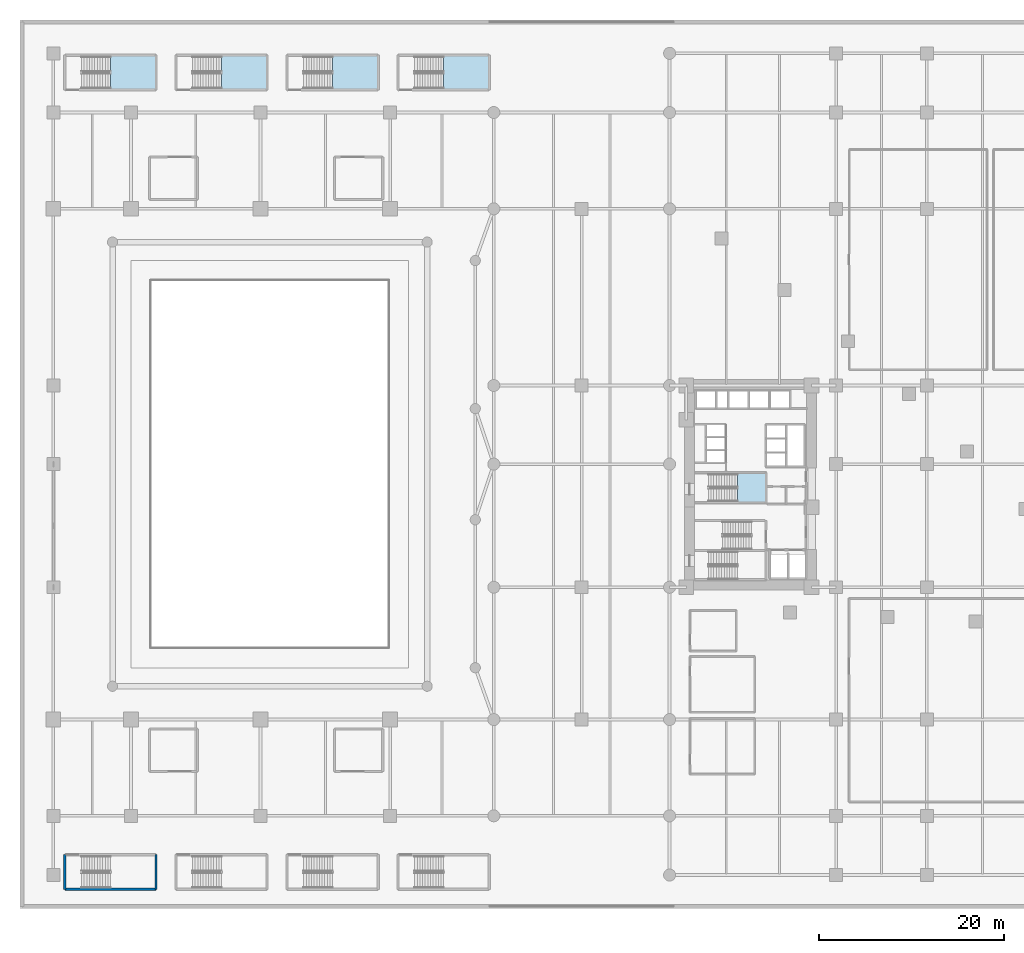
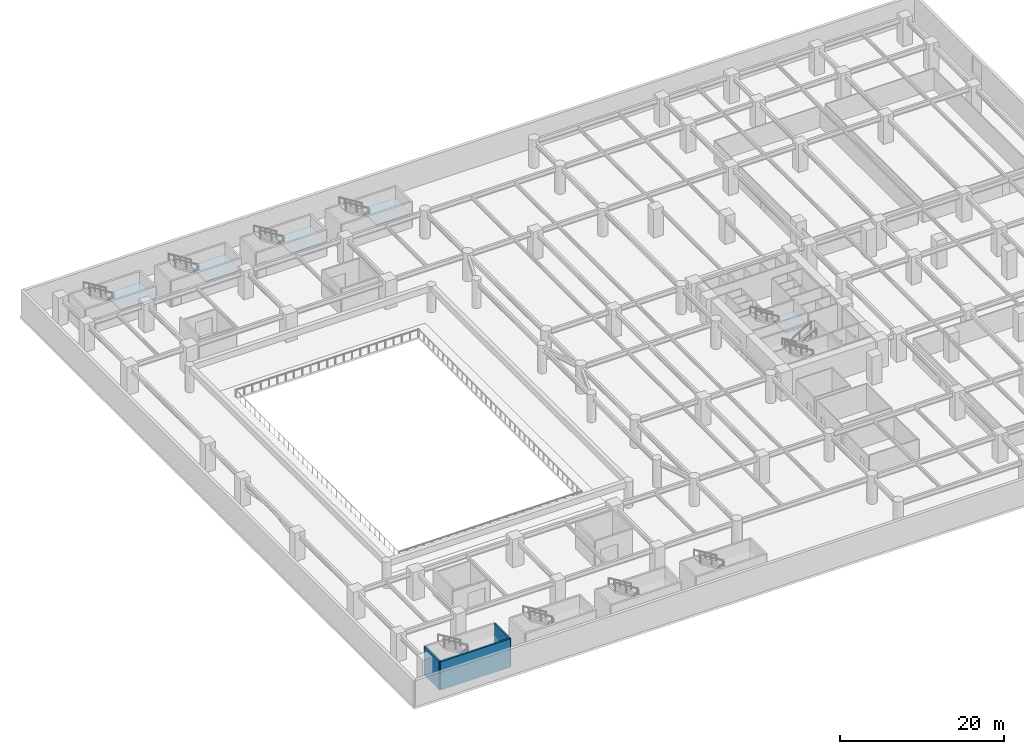
# One storey, part 5 of 25: 5 slabs, 3 walls, 5 elements without a shape of their own.
"""IFC4 building model written with IfcOpenShell, lengths in metres."""

import ifcopenshell
import ifcopenshell.guid

model = None  # the IFC model being written
_history = None  # IfcOwnerHistory: only IFC2X3 demands one
_inside = {}  # id of a spatial element -> (the spatial element, [elements in it])
_under = {}  # id of a project, library or spatial element -> (it, [spatial elements below it])
_declared = {}  # id of a project -> (the project, [libraries it declares])
_typed = {}  # id of a type object -> (the type object, [elements of that type])
_made_of = {}  # id of a material, layer set ... -> (it, [elements and type objects made of it])


def new_model(schema):
    """Start an empty IFC model of exactly this schema.

    Asked for "IFC4X3", IfcOpenShell would pick the latest addendum, in which some entities
    have other attributes; the version numbers below select the first issue.
    IFC2X3 requires an IfcOwnerHistory on every rooted entity: one is made here for all.
    """
    global model, _history
    if schema == "IFC4X3":
        model = ifcopenshell.file(schema_version=(4, 3, 0, 0))
    else:
        model = ifcopenshell.file(schema=schema)
    _inside.clear()
    _under.clear()
    _declared.clear()
    _typed.clear()
    _made_of.clear()
    _history = None
    if model.schema == "IFC2X3":
        org = make("IfcOrganization", Name="unknown")
        user = make(
            "IfcPersonAndOrganization",
            ThePerson=make("IfcPerson", FamilyName="unknown"),
            TheOrganization=org,
        )
        app = make(
            "IfcApplication",
            ApplicationDeveloper=org,
            Version="unknown",
            ApplicationFullName="unknown",
            ApplicationIdentifier="unknown",
        )
        _history = make(
            "IfcOwnerHistory",
            OwningUser=user,
            OwningApplication=app,
            ChangeAction="ADDED",
            CreationDate=0,
        )
    return model


def make(cls, **values):
    """One entity of the class cls with the attributes given. An attribute that is None is left unset."""
    return model.create_entity(
        cls, **{name: value for name, value in values.items() if value is not None}
    )


def rooted(cls, **values):
    """An entity with a GlobalId (a new one), such as an element, a storey or a relation."""
    return make(cls, GlobalId=ifcopenshell.guid.new(), OwnerHistory=_history, **values)


def si_unit(unit_type, name, prefix=None):
    """IfcSIUnit, for example si_unit("LENGTHUNIT", "METRE", prefix="MILLI")."""
    return make("IfcSIUnit", UnitType=unit_type, Prefix=prefix, Name=name)


def assignment(units):
    """IfcUnitAssignment: the units of a project."""
    return None if units is None else make("IfcUnitAssignment", Units=units)


def point(xyz):
    """IfcCartesianPoint."""
    return None if xyz is None else make("IfcCartesianPoint", Coordinates=xyz)


def direction(xyz):
    """IfcDirection."""
    return None if xyz is None else make("IfcDirection", DirectionRatios=xyz)


def frame(location, z_axis=None, x_axis=None):
    """IfcAxis2Placement3D, a coordinate frame: its origin and axes. An axis left out is left unset."""
    return make(
        "IfcAxis2Placement3D",
        Location=point(location),
        Axis=direction(z_axis),
        RefDirection=direction(x_axis),
    )


def frame_2d(location, x_axis=None):
    """IfcAxis2Placement2D, a coordinate frame in the plane: its origin and x axis."""
    return make(
        "IfcAxis2Placement2D", Location=point(location), RefDirection=direction(x_axis)
    )


def origin():
    """The frame at (0, 0, 0) with its axes left unset."""
    return frame((0.0, 0.0, 0.0))


def place(relative_to, where):
    """IfcLocalPlacement: puts the frame where relative to a parent placement (None: the world)."""
    return make(
        "IfcLocalPlacement", PlacementRelTo=relative_to, RelativePlacement=where
    )


def context(
    kind, dimensions, precision=None, world=None, true_north=None, identifier=None
):
    """IfcGeometricRepresentationContext, for example the 3D "Model" context."""
    return make(
        "IfcGeometricRepresentationContext",
        ContextIdentifier=identifier,
        ContextType=kind,
        CoordinateSpaceDimension=dimensions,
        Precision=precision,
        WorldCoordinateSystem=world,
        TrueNorth=true_north,
    )


def subcontext(parent, identifier, kind, view, scale=None):
    """IfcGeometricRepresentationSubContext, for example "Body" below "Model"."""
    return make(
        "IfcGeometricRepresentationSubContext",
        ContextIdentifier=identifier,
        ContextType=kind,
        ParentContext=parent,
        TargetScale=scale,
        TargetView=view,
    )


def project(units=None, contexts=None):
    """IfcProject with its units and contexts."""
    return rooted(
        "IfcProject",
        Name="project",
        RepresentationContexts=contexts,
        UnitsInContext=assignment(units),
    )


def spatial(cls, under=None, at=None, **own):
    """A site, building, storey or space (cls), placed at a placement, below another one or the project."""
    s = rooted(cls, ObjectPlacement=at, **own)
    if under is not None:
        _under.setdefault(under.id(), (under, []))[1].append(s)
    return s


def polyline(points):
    """IfcPolyline through the points."""
    return make("IfcPolyline", Points=[point(p) for p in points])


def profile(cls, at=None, kind="AREA", **sizes):
    """A parametric profile (cls). Its sizes go by their IFC names, for example OverallWidth=200.0."""
    return make(cls, ProfileType=kind, Position=at, **sizes)


def rectangle(**sizes):
    """IfcRectangleProfileDef."""
    return profile("IfcRectangleProfileDef", **sizes)


def outline(outer, holes=None, kind="AREA"):
    """IfcArbitraryClosedProfileDef: a profile drawn as a closed curve; with holes, ...WithVoids."""
    if holes is None:
        return make("IfcArbitraryClosedProfileDef", ProfileType=kind, OuterCurve=outer)
    return make(
        "IfcArbitraryProfileDefWithVoids",
        ProfileType=kind,
        OuterCurve=outer,
        InnerCurves=holes,
    )


def extrude(swept, where, along, depth):
    """IfcExtrudedAreaSolid: the profile swept, set in the frame where, extruded along a direction by depth."""
    return make(
        "IfcExtrudedAreaSolid",
        SweptArea=swept,
        Position=where,
        ExtrudedDirection=direction(along),
        Depth=depth,
    )


def shape(context_of_items, identifier, shape_type, items):
    """IfcShapeRepresentation: the items that make up one representation, for example the "Body"."""
    return make(
        "IfcShapeRepresentation",
        ContextOfItems=context_of_items,
        RepresentationIdentifier=identifier,
        RepresentationType=shape_type,
        Items=items,
    )


def material(Name=None, Category=None):
    """IfcMaterial."""
    return make("IfcMaterial", Name=Name, Category=Category)


def layer(
    of_material, thickness, ventilated=None, Name=None, Category=None, Priority=None
):
    """IfcMaterialLayer: one layer of a wall or slab, of a material (None: an air gap)."""
    return make(
        "IfcMaterialLayer",
        Material=of_material,
        LayerThickness=thickness,
        IsVentilated=ventilated,
        Name=Name,
        Category=Category,
        Priority=Priority,
    )


def layer_set(layers, Name=None):
    """IfcMaterialLayerSet."""
    return make("IfcMaterialLayerSet", MaterialLayers=layers, LayerSetName=Name)


def made_of(thing, what):
    """Note that an element or type object is made of a material, layer set ...; save() writes the relation."""
    if what is not None:
        _made_of.setdefault(what.id(), (what, []))[1].append(thing)
    return thing


def type_object(cls, material=None, **own):
    """A type object (cls), such as IfcWallType, which elements share."""
    return made_of(rooted(cls, **own), material)


def element(
    cls,
    number,
    at=None,
    inside=None,
    cuts=None,
    type_object=None,
    material=None,
    context=None,
    identifier="Body",
    shape_type=None,
    held_by="IfcProductDefinitionShape",
    body=None,
    shapes=None,
    **own,
):
    """One element of the class cls, such as IfcWall. Its Tag is "e" and its number.

    at: its placement. inside: the storey or other place that contains it. cuts: it is an
    opening in that element (IfcRelVoidsElement). A single representation is given by context,
    identifier, shape_type and body (its items); several are given by shapes. held_by: the class
    of the entity that holds the representations. save() writes the other relations.
    """
    e = rooted(cls, Tag="e%d" % number, ObjectPlacement=at, **own)
    if body is not None:
        shapes = [shape(context, identifier, shape_type, body)]
    if shapes is not None:
        e.Representation = make(held_by, Representations=shapes)
    if inside is not None:
        _inside.setdefault(inside.id(), (inside, []))[1].append(e)
    if cuts is not None:
        rooted(
            "IfcRelVoidsElement", RelatingBuildingElement=cuts, RelatedOpeningElement=e
        )
    if type_object is not None:
        _typed.setdefault(type_object.id(), (type_object, []))[1].append(e)
    return made_of(e, material)


def aggregate(whole, parts):
    """IfcRelAggregates: a whole, such as a stair, and the parts it consists of."""
    return rooted("IfcRelAggregates", RelatingObject=whole, RelatedObjects=parts)


def save(model, path):
    """Write the relations noted so far, then the file.

    IfcRelAggregates (storeys below a building ...), IfcRelContainedInSpatialStructure (elements
    in a storey), IfcRelDefinesByType, IfcRelAssociatesMaterial and IfcRelDeclares: one each for
    every whole, place, type object, material and project.
    """
    for whole, parts in _under.values():
        aggregate(whole, parts)
    for where, things in _inside.values():
        rooted(
            "IfcRelContainedInSpatialStructure",
            RelatedElements=things,
            RelatingStructure=where,
        )
    for kind, things in _typed.values():
        rooted("IfcRelDefinesByType", RelatedObjects=things, RelatingType=kind)
    for what, things in _made_of.values():
        rooted("IfcRelAssociatesMaterial", RelatedObjects=things, RelatingMaterial=what)
    for by, libraries in _declared.values():
        rooted("IfcRelDeclares", RelatingContext=by, RelatedDefinitions=libraries)
    model.write(path)


model = new_model("IFC4")

# Units and contexts
model_context = context("Model", 3, precision=1e-05, world=origin(), true_north=direction((0.0, 1.0)))
body_context = subcontext(model_context, "Body", "Model", "MODEL_VIEW")
ifc_project = project(units=[si_unit("LENGTHUNIT", "METRE"), si_unit("AREAUNIT", "SQUARE_METRE"), si_unit("VOLUMEUNIT", "CUBIC_METRE"), si_unit("PLANEANGLEUNIT", "RADIAN"), si_unit("MASSUNIT", "GRAM", prefix="KILO")], contexts=[model_context])

# Site, building, storey
site_placement = place(None, origin())
site = spatial("IfcSite", under=ifc_project, at=site_placement, CompositionType="ELEMENT")
building_placement = place(site_placement, origin())
building = spatial("IfcBuilding", under=site, at=building_placement, Name="Narakoshi Arena Tower", CompositionType="ELEMENT")
storey_placement = place(building_placement, frame((0.0, 0.0, 9.0)))
storey = spatial("IfcBuildingStorey", under=building, at=storey_placement, Name="L02", CompositionType="ELEMENT", Elevation=9.0)

# Stair, slab
ifc_material_1 = material(Name="Concrete C45/55", Category="concrete")
stair_type_1 = type_object("IfcStairType", Name="STR-PLANT-420", PredefinedType="TWO_STRAIGHT_RUN_STAIR", material=ifc_material_1)
stair_1_placement = place(storey_placement, origin())
stair_1 = element("IfcStair", 1, at=stair_1_placement, inside=storey, type_object=stair_type_1, Name="L02 Core Escape Stair ST3", PredefinedType="TWO_STRAIGHT_RUN_STAIR")
ifc_layer_1 = layer(ifc_material_1, 0.18994140625)
ifc_layer_set_1 = layer_set([ifc_layer_1], Name="Concrete C45/55")
slab_type = type_object("IfcSlabType", Name="SLB-LND-190", PredefinedType="LANDING", material=ifc_layer_set_1)
slab_1_placement = place(storey_placement, frame((0.0, 0.0, 1.909912109375)))
slab_1 = element("IfcSlab", 2, at=slab_1_placement, type_object=slab_type, Name="ST3 landing 1", PredefinedType="LANDING", context=body_context, shape_type="SweptSolid", body=[
    extrude(outline(polyline([(77.534912109375, 43.77001953125), (80.679931640625, 43.77001953125), (80.679931640625, 47.1298828125), (77.534912109375, 47.1298828125), (77.534912109375, 43.77001953125)])), origin(), (0.0, 0.0, 1.0), 0.190185546875),
])
aggregate(stair_1, [slab_1])

stair_type_2 = type_object("IfcStairType", Name="STR-ARN-2400", PredefinedType="TWO_STRAIGHT_RUN_STAIR", material=ifc_material_1)
stair_2_placement = place(storey_placement, origin())
stair_2 = element("IfcStair", 3, at=stair_2_placement, inside=storey, type_object=stair_type_2, Name="L02 Arena Crowd Escape Stair AST5", PredefinedType="TWO_STRAIGHT_RUN_STAIR")
slab_2_placement = place(storey_placement, frame((0.0, 0.0, 1.909912109375)))
slab_2 = element("IfcSlab", 4, at=slab_2_placement, type_object=slab_type, Name="AST5 landing 1", PredefinedType="LANDING", context=body_context, shape_type="SweptSolid", body=[
    extrude(outline(polyline([(9.784912109375, 88.419921875), (14.72998046875, 88.419921875), (14.72998046875, 92.22998046875), (9.784912109375, 92.22998046875), (9.784912109375, 88.419921875)])), origin(), (0.0, 0.0, 1.0), 0.190185546875),
])
aggregate(stair_2, [slab_2])

stair_3_placement = place(storey_placement, origin())
stair_3 = element("IfcStair", 5, at=stair_3_placement, inside=storey, type_object=stair_type_2, Name="L02 Arena Crowd Escape Stair AST6", PredefinedType="TWO_STRAIGHT_RUN_STAIR")
slab_3_placement = place(storey_placement, frame((0.0, 0.0, 1.909912109375)))
slab_3 = element("IfcSlab", 6, at=slab_3_placement, type_object=slab_type, Name="AST6 landing 1", PredefinedType="LANDING", context=body_context, shape_type="SweptSolid", body=[
    extrude(outline(polyline([(21.784912109375, 88.419921875), (26.72998046875, 88.419921875), (26.72998046875, 92.22998046875), (21.784912109375, 92.22998046875), (21.784912109375, 88.419921875)])), origin(), (0.0, 0.0, 1.0), 0.190185546875),
])
aggregate(stair_3, [slab_3])

stair_4_placement = place(storey_placement, origin())
stair_4 = element("IfcStair", 7, at=stair_4_placement, inside=storey, type_object=stair_type_2, Name="L02 Arena Crowd Escape Stair AST7", PredefinedType="TWO_STRAIGHT_RUN_STAIR")
slab_4_placement = place(storey_placement, frame((0.0, 0.0, 1.909912109375)))
slab_4 = element("IfcSlab", 8, at=slab_4_placement, type_object=slab_type, Name="AST7 landing 1", PredefinedType="LANDING", context=body_context, shape_type="SweptSolid", body=[
    extrude(outline(polyline([(33.784912109375, 88.419921875), (38.72998046875, 88.419921875), (38.72998046875, 92.22998046875), (33.784912109375, 92.22998046875), (33.784912109375, 88.419921875)])), origin(), (0.0, 0.0, 1.0), 0.190185546875),
])
aggregate(stair_4, [slab_4])

stair_5_placement = place(storey_placement, origin())
stair_5 = element("IfcStair", 9, at=stair_5_placement, inside=storey, type_object=stair_type_2, Name="L02 Arena Crowd Escape Stair AST8", PredefinedType="TWO_STRAIGHT_RUN_STAIR")
slab_5_placement = place(storey_placement, frame((0.0, 0.0, 1.909912109375)))
slab_5 = element("IfcSlab", 10, at=slab_5_placement, type_object=slab_type, Name="AST8 landing 1", PredefinedType="LANDING", context=body_context, shape_type="SweptSolid", body=[
    extrude(outline(polyline([(45.784912109375, 88.419921875), (50.72998046875, 88.419921875), (50.72998046875, 92.22998046875), (45.784912109375, 92.22998046875), (45.784912109375, 88.419921875)])), origin(), (0.0, 0.0, 1.0), 0.190185546875),
])
aggregate(stair_5, [slab_5])

# Walls
ifc_material_2 = material(Name="Concrete C50/60", Category="concrete")
ifc_layer_2 = layer(ifc_material_2, 0.35009765625)
ifc_layer_set_2 = layer_set([ifc_layer_2], Name="Concrete C50/60")
wall_type = type_object("IfcWallType", Name="WL-SHAFT-350", PredefinedType="SOLIDWALL", material=ifc_layer_set_2)
for number, where, z_axis, x_axis, name in (
    (11, (4.85009765625, 2.050048828125, -0.320068359375), (0.0, 0.0, 1.0), (0.0, 1.0, 0.0), "L02 AST1 Enclosure Wall W"),
    (12, (14.699951171875, 2.050048828125, -0.320068359375), (0.0, 0.0, 1.0), (0.0, 1.0, 0.0), "L02 AST1 Enclosure Wall E"),
):
    element("IfcWall", number, at=place(storey_placement, frame(where, z_axis=z_axis, x_axis=x_axis)), inside=storey, type_object=wall_type, Name=name, PredefinedType="SOLIDWALL", context=body_context, shape_type="SweptSolid", body=[
        extrude(rectangle(XDim=3.75, YDim=0.25, at=frame_2d((1.875, 0.0))), origin(), (0.0, 0.0, 1.0), 4.199951171875),
    ])
wall_placement = place(storey_placement, frame((4.85009765625, 2.050048828125, -0.320068359375), z_axis=(0.0, 0.0, 1.0), x_axis=(1.0, 0.0, 0.0)))
element("IfcWall", 13, at=wall_placement, inside=storey, type_object=wall_type, Name="L02 AST1 Enclosure Wall B", PredefinedType="SOLIDWALL", context=body_context, shape_type="SweptSolid", body=[
    extrude(rectangle(XDim=9.849853515625, YDim=0.25, at=frame_2d((4.9248046875, 0.0))), origin(), (0.0, 0.0, 1.0), 4.199951171875),
])

save(model, "model.ifc")
